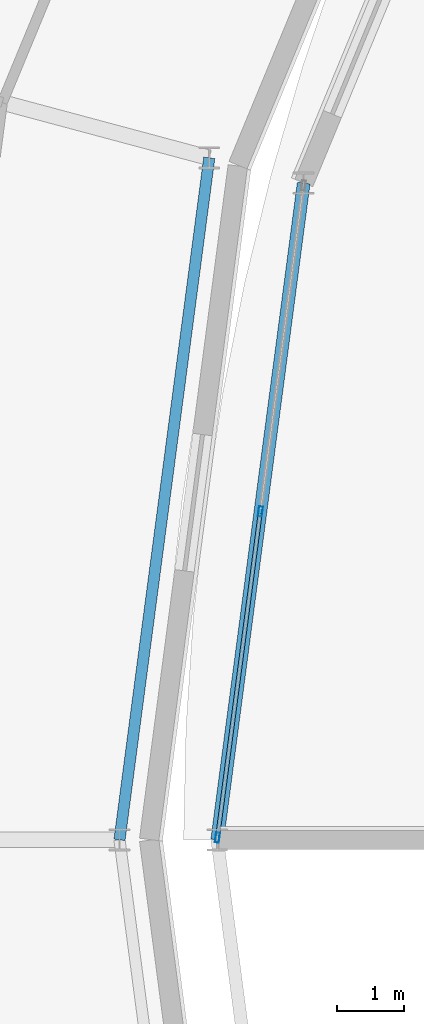
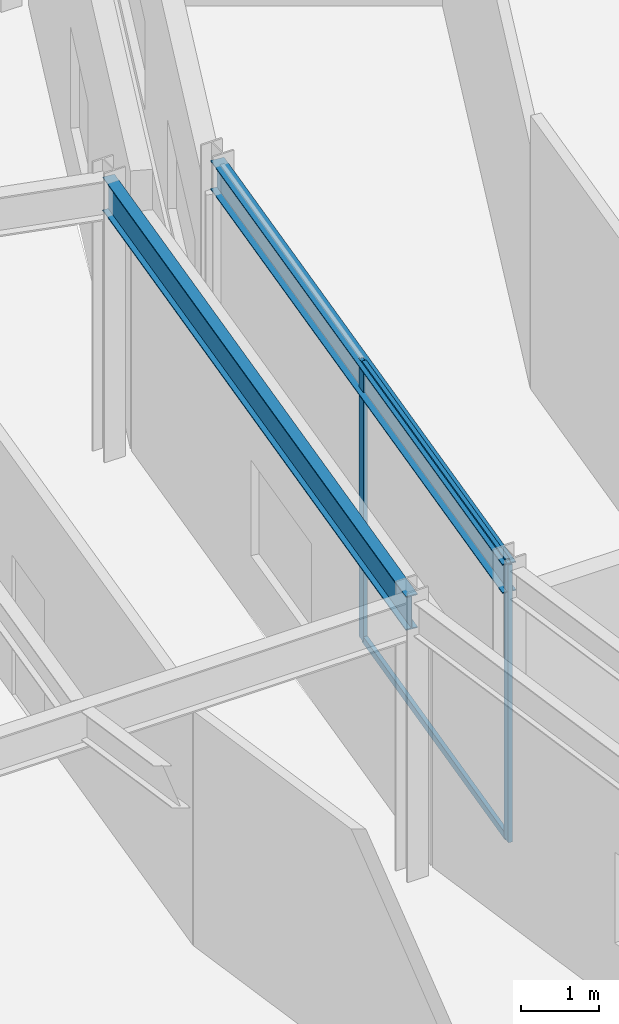
# One storey, part 33 of 133: 4 members, 2 beams, 1 element without a shape of its own.
"""IFC4 building model written with IfcOpenShell, lengths in metres."""

from ifc_helpers import new_model, si_unit, direction, frame, origin, origin_2d, place, context, subcontext, project, spatial, hollow_rectangle, i_section, extrude, material, material_profile, profile_set, type_object, element, aggregate, save


model = new_model("IFC4")

# Units and contexts
model_context = context("Model", 3, precision=1e-05, world=origin(), true_north=direction((0.0, 1.0)))
body_context = subcontext(model_context, "Body", "Model", "MODEL_VIEW")
ifc_project = project(units=[si_unit("LENGTHUNIT", "METRE"), si_unit("AREAUNIT", "SQUARE_METRE"), si_unit("VOLUMEUNIT", "CUBIC_METRE"), si_unit("PLANEANGLEUNIT", "RADIAN"), si_unit("MASSUNIT", "GRAM", prefix="KILO")], contexts=[model_context])

# Site, building, storey
site_placement = place(None, origin())
site = spatial("IfcSite", under=ifc_project, at=site_placement, CompositionType="ELEMENT")
building_placement = place(site_placement, origin())
building = spatial("IfcBuilding", under=site, at=building_placement, Name="Almandine Court Research Institute", CompositionType="ELEMENT")
storey_placement = place(building_placement, frame((0.0, 0.0, 9.800048828125)))
storey = spatial("IfcBuildingStorey", under=building, at=storey_placement, Name="L02", CompositionType="ELEMENT", Elevation=9.800048828125)

# Beams
ifc_material_1 = material(Name="Steel ASTM A992 Grade 50", Category="steel")
ifc_material_profile_1 = material_profile(ifc_material_1, i_section(OverallWidth=0.18994140625, OverallDepth=0.45703125, WebThickness=0.009033203125, FlangeThickness=0.014892578125, at=origin_2d()), Name="W460x74")
ifc_profile_set_1 = profile_set([ifc_material_profile_1], Name="Steel ASTM A992 Grade 50")
beam_type_1 = type_object("IfcBeamType", Name="Beam-B-01", PredefinedType="BEAM", material=ifc_profile_set_1)
beam_1_placement = place(storey_placement, frame((50.633056640625, 65.7451171875, 4.140869140625), z_axis=(-0.130525188913, -0.991444993461, 0.0), x_axis=(0.991444993461, -0.130525188913, 0.0)))
element("IfcBeam", 1, at=beam_1_placement, inside=storey, type_object=beam_type_1, Name="L02 Atrium Outer Ring Beam", PredefinedType="BEAM", context=body_context, shape_type="SweptSolid", body=[
    extrude(i_section(OverallWidth=0.18994140625, OverallDepth=0.45703125, WebThickness=0.009033203125, FlangeThickness=0.014892578125, at=origin_2d()), origin(), (0.0, 0.0, 1.0), 9.8291015625),
])
ifc_material_profile_2 = material_profile(ifc_material_1, i_section(OverallWidth=0.166015625, OverallDepth=0.534912109375, WebThickness=0.010009765625, FlangeThickness=0.01708984375, at=origin_2d()), Name="W530x85")
ifc_profile_set_2 = profile_set([ifc_material_profile_2], Name="Steel ASTM A992 Grade 50")
beam_type_2 = type_object("IfcBeamType", Name="Beam-G-05-E", PredefinedType="SPANDREL", material=ifc_profile_set_2)
beam_2_placement = place(storey_placement, frame((49.23193359375, 66.1201171875, 4.10205078125), z_axis=(-0.130496584681, -0.991448758831, 0.0), x_axis=(0.991448758831, -0.130496584681, 0.0)))
element("IfcBeam", 2, at=beam_2_placement, inside=storey, type_object=beam_type_2, Name="L02 Drum IN Ring Beam 11", PredefinedType="SPANDREL", context=body_context, shape_type="SweptSolid", body=[
    extrude(i_section(OverallWidth=0.166015625, OverallDepth=0.534912109375, WebThickness=0.010009765625, FlangeThickness=0.01708984375, at=origin_2d()), origin(), (0.0, 0.0, 1.0), 10.20751953125),
])

# Curtain wall, members
ifc_material_2 = material(Name="Unitised Curtain Wall Framing and Solar Glazing", Category="glass")
curtain_wall_type = type_object("IfcCurtainWallType", Name="CW-CWG-24", PredefinedType="USERDEFINED", material=ifc_material_2)
curtain_wall_placement = place(storey_placement, origin())
curtain_wall = element("IfcCurtainWall", 3, at=curtain_wall_placement, inside=storey, type_object=curtain_wall_type, Name="L02 Interaction Atrium Perimeter Curtain Wall 11", ObjectType="UNITISED GLAZING", PredefinedType="USERDEFINED")
ifc_material_3 = material(Name="Anodised Aluminium AW-6063-T6", Category="aluminium")
ifc_material_profile_3 = material_profile(ifc_material_3, hollow_rectangle(XDim=0.06005859375, YDim=0.14990234375, WallThickness=0.00390625, at=origin_2d()), Name="ALU RHS 60x150x4")
ifc_profile_set_3 = profile_set([ifc_material_profile_3], Name="Anodised Aluminium AW-6063-T6")
member_type_1 = type_object("IfcMemberType", Name="CWMul-60x150", PredefinedType="MULLION", material=ifc_profile_set_3)
member_1_placement = place(storey_placement, frame((49.35400390625, 56.03369140625, 0.0), z_axis=(0.0, 0.0, 1.0), x_axis=(-0.991443548509, 0.130536164028, 0.0)))
member_1 = element("IfcMember", 4, at=member_1_placement, type_object=member_type_1, Name="CWG-24 mullion 1", PredefinedType="MULLION", context=body_context, shape_type="SweptSolid", body=[
    extrude(hollow_rectangle(XDim=0.06005859375, YDim=0.14990234375, WallThickness=0.00390625, at=origin_2d()), origin(), (0.0, 0.0, 1.0), 4.369873046875),
])
member_2_placement = place(storey_placement, frame((49.990966796875, 60.87255859375, 0.0), z_axis=(0.0, 0.0, 1.0), x_axis=(-0.991443548509, 0.130536164028, 0.0)))
member_2 = element("IfcMember", 5, at=member_2_placement, type_object=member_type_1, Name="CWG-24 mullion 2", PredefinedType="MULLION", context=body_context, shape_type="SweptSolid", body=[
    extrude(hollow_rectangle(XDim=0.06005859375, YDim=0.14990234375, WallThickness=0.00390625, at=origin_2d()), origin(), (0.0, 0.0, 1.0), 4.369873046875),
])
ifc_material_profile_4 = material_profile(ifc_material_3, hollow_rectangle(XDim=0.06005859375, YDim=0.110107421875, WallThickness=0.00390625, at=origin_2d()), Name="ALU RHS 60x110x4")
ifc_profile_set_4 = profile_set([ifc_material_profile_4], Name="Anodised Aluminium AW-6063-T6")
member_type_2 = type_object("IfcMemberType", Name="CWTrn-60x110", PredefinedType="NOTDEFINED", material=ifc_profile_set_4)
member_3_placement = place(storey_placement, frame((49.35791015625, 56.0634765625, 0.030029296875), z_axis=(0.130514777294, 0.99144636411, 0.0), x_axis=(-0.99144636411, 0.130514777294, 0.0)))
member_3 = element("IfcMember", 6, at=member_3_placement, type_object=member_type_2, Name="CWG-24 transom 1.1", ObjectType="TRANSOM", PredefinedType="USERDEFINED", context=body_context, shape_type="SweptSolid", body=[
    extrude(hollow_rectangle(XDim=0.06005859375, YDim=0.110107421875, WallThickness=0.00390625, at=origin_2d()), origin(), (0.0, 0.0, 1.0), 4.820556640625),
])
member_4_placement = place(storey_placement, frame((49.35791015625, 56.0634765625, 4.33984375), z_axis=(0.130514777294, 0.99144636411, 0.0), x_axis=(-0.99144636411, 0.130514777294, 0.0)))
member_4 = element("IfcMember", 7, at=member_4_placement, type_object=member_type_2, Name="CWG-24 transom 1.2", ObjectType="TRANSOM", PredefinedType="USERDEFINED", context=body_context, shape_type="SweptSolid", body=[
    extrude(hollow_rectangle(XDim=0.06005859375, YDim=0.110107421875, WallThickness=0.00390625, at=origin_2d()), origin(), (0.0, 0.0, 1.0), 4.820556640625),
])
aggregate(curtain_wall, [member_1, member_2, member_3, member_4])

save(model, "model.ifc")
